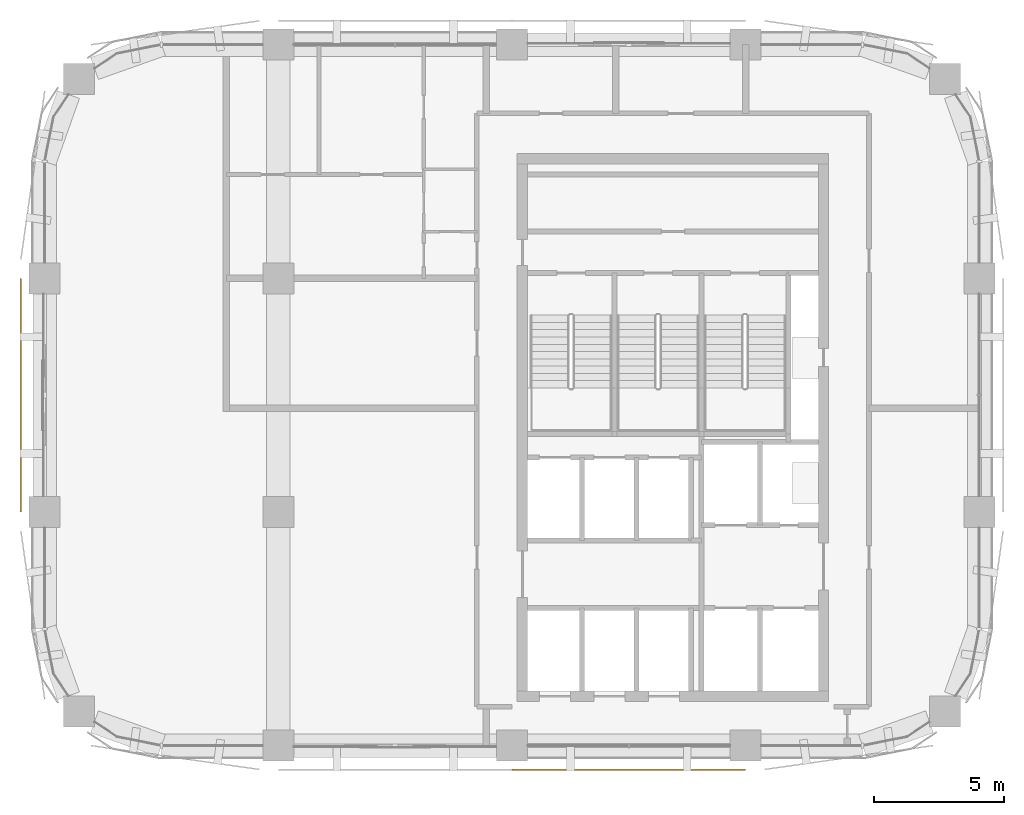
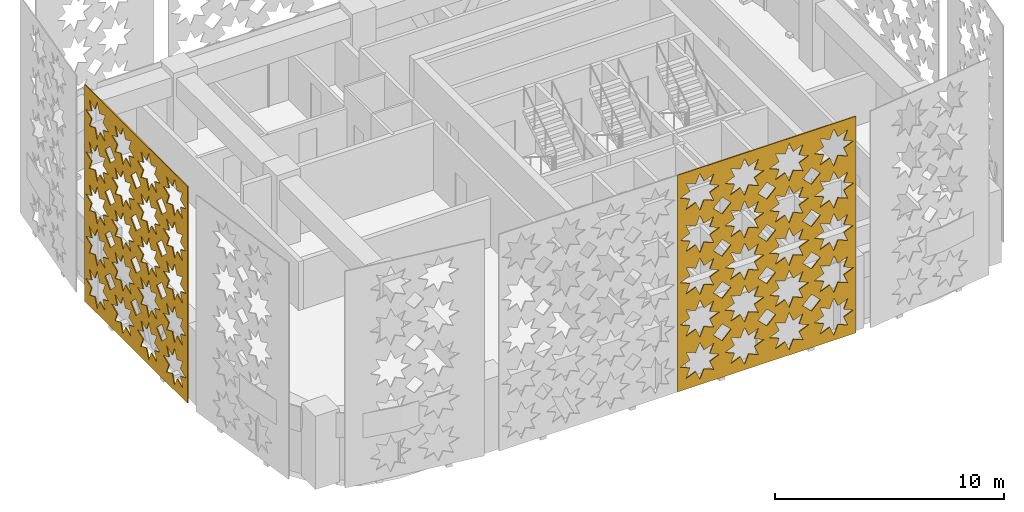
# One storey, part 11 of 15: 2 coverings.
"""IFC4 building model written with IfcOpenShell, lengths in metres."""

from ifc_helpers import new_model, si_unit, direction, frame, origin, place, context, subcontext, project, spatial, polyline, outline, extrude, material, layer, layer_set, type_object, element, save


model = new_model("IFC4")

# Units and contexts
model_context = context("Model", 3, precision=1e-05, world=origin(), true_north=direction((0.0, 1.0)))
body_context = subcontext(model_context, "Body", "Model", "MODEL_VIEW")
ifc_project = project(units=[si_unit("LENGTHUNIT", "METRE"), si_unit("AREAUNIT", "SQUARE_METRE"), si_unit("VOLUMEUNIT", "CUBIC_METRE"), si_unit("PLANEANGLEUNIT", "RADIAN"), si_unit("MASSUNIT", "GRAM", prefix="KILO")], contexts=[model_context])

# Site, building, storey
site_placement = place(None, origin())
site = spatial("IfcSite", under=ifc_project, at=site_placement, CompositionType="ELEMENT")
building_placement = place(site_placement, origin())
building = spatial("IfcBuilding", under=site, at=building_placement, Name="Tessera Arch", CompositionType="ELEMENT")
storey_placement = place(building_placement, frame((0.0, 0.0, 257.89990234375)))
storey = spatial("IfcBuildingStorey", under=building, at=storey_placement, Name="L62", CompositionType="ELEMENT", Elevation=257.89990234375)

# Coverings
ifc_material = material(Name="Anodised aluminium pale metal", Category="aluminium")
ifc_layer = layer(ifc_material, 0.050048828125)
ifc_layer_set = layer_set([ifc_layer], Name="Pierced screen panel straight bay")
covering_type = type_object("IfcCoveringType", Name="Pierced screen panel straight bay", PredefinedType="CLADDING", material=ifc_layer_set)
covering_1_placement = place(storey_placement, frame((17.10009765625, 45.0, 11.7001953125), z_axis=(1.0, 0.0, 0.0), x_axis=(0.0, -1.0, 0.0)))
element("IfcCovering", 1, at=covering_1_placement, inside=storey, type_object=covering_type, Name="SCREEN pierced panel W18.27/1 L62-L64", PredefinedType="CLADDING", context=body_context, shape_type="SweptSolid", body=[
    extrude(outline(polyline([(0.0, 0.0), (9.0, 0.0), (9.0, 11.5400390625), (0.0, 11.5400390625), (0.0, 0.0)]), holes=[polyline([(2.114990234375, 10.27001953125), (1.6240234375, 10.06298828125), (1.824951171875, 9.570068359375), (1.33203125, 9.77099609375), (1.125, 9.280029296875), (0.91796875, 9.77099609375), (0.425048828125, 9.570068359375), (0.6259765625, 10.06298828125), (0.135009765625, 10.27001953125), (0.6259765625, 10.47705078125), (0.425048828125, 10.97021484375), (0.91796875, 10.76904296875), (1.125, 11.260009765625), (1.33203125, 10.76904296875), (1.824951171875, 10.97021484375), (1.6240234375, 10.47705078125), (2.114990234375, 10.27001953125)]), polyline([(2.114990234375, 8.02001953125), (1.6240234375, 7.81298828125), (1.824951171875, 7.320068359375), (1.33203125, 7.52099609375), (1.125, 7.030029296875), (0.91796875, 7.52099609375), (0.425048828125, 7.320068359375), (0.6259765625, 7.81298828125), (0.135009765625, 8.02001953125), (0.6259765625, 8.22705078125), (0.425048828125, 8.72021484375), (0.91796875, 8.51904296875), (1.125, 9.010009765625), (1.33203125, 8.51904296875), (1.824951171875, 8.72021484375), (1.6240234375, 8.22705078125), (2.114990234375, 8.02001953125)]), polyline([(2.114990234375, 5.77001953125), (1.6240234375, 5.56298828125), (1.824951171875, 5.070068359375), (1.33203125, 5.27099609375), (1.125, 4.780029296875), (0.91796875, 5.27099609375), (0.425048828125, 5.070068359375), (0.6259765625, 5.56298828125), (0.135009765625, 5.77001953125), (0.6259765625, 5.97705078125), (0.425048828125, 6.47021484375), (0.91796875, 6.26904296875), (1.125, 6.760009765625), (1.33203125, 6.26904296875), (1.824951171875, 6.47021484375), (1.6240234375, 5.97705078125), (2.114990234375, 5.77001953125)]), polyline([(2.114990234375, 3.52001953125), (1.6240234375, 3.31298828125), (1.824951171875, 2.820068359375), (1.33203125, 3.02099609375), (1.125, 2.530029296875), (0.91796875, 3.02099609375), (0.425048828125, 2.820068359375), (0.6259765625, 3.31298828125), (0.135009765625, 3.52001953125), (0.6259765625, 3.72705078125), (0.425048828125, 4.22021484375), (0.91796875, 4.01904296875), (1.125, 4.510009765625), (1.33203125, 4.01904296875), (1.824951171875, 4.22021484375), (1.6240234375, 3.72705078125), (2.114990234375, 3.52001953125)]), polyline([(2.114990234375, 1.27001953125), (1.6240234375, 1.06298828125), (1.824951171875, 0.570068359375), (1.33203125, 0.77099609375), (1.125, 0.280029296875), (0.91796875, 0.77099609375), (0.425048828125, 0.570068359375), (0.6259765625, 1.06298828125), (0.135009765625, 1.27001953125), (0.6259765625, 1.47705078125), (0.425048828125, 1.97021484375), (0.91796875, 1.76904296875), (1.125, 2.260009765625), (1.33203125, 1.76904296875), (1.824951171875, 1.97021484375), (1.6240234375, 1.47705078125), (2.114990234375, 1.27001953125)]), polyline([(4.364990234375, 10.27001953125), (3.8740234375, 10.06298828125), (4.074951171875, 9.570068359375), (3.58203125, 9.77099609375), (3.375, 9.280029296875), (3.16796875, 9.77099609375), (2.675048828125, 9.570068359375), (2.8759765625, 10.06298828125), (2.385009765625, 10.27001953125), (2.8759765625, 10.47705078125), (2.675048828125, 10.97021484375), (3.16796875, 10.76904296875), (3.375, 11.260009765625), (3.58203125, 10.76904296875), (4.074951171875, 10.97021484375), (3.8740234375, 10.47705078125), (4.364990234375, 10.27001953125)]), polyline([(4.364990234375, 8.02001953125), (3.8740234375, 7.81298828125), (4.074951171875, 7.320068359375), (3.58203125, 7.52099609375), (3.375, 7.030029296875), (3.16796875, 7.52099609375), (2.675048828125, 7.320068359375), (2.8759765625, 7.81298828125), (2.385009765625, 8.02001953125), (2.8759765625, 8.22705078125), (2.675048828125, 8.72021484375), (3.16796875, 8.51904296875), (3.375, 9.010009765625), (3.58203125, 8.51904296875), (4.074951171875, 8.72021484375), (3.8740234375, 8.22705078125), (4.364990234375, 8.02001953125)]), polyline([(4.364990234375, 5.77001953125), (3.8740234375, 5.56298828125), (4.074951171875, 5.070068359375), (3.58203125, 5.27099609375), (3.375, 4.780029296875), (3.16796875, 5.27099609375), (2.675048828125, 5.070068359375), (2.8759765625, 5.56298828125), (2.385009765625, 5.77001953125), (2.8759765625, 5.97705078125), (2.675048828125, 6.47021484375), (3.16796875, 6.26904296875), (3.375, 6.760009765625), (3.58203125, 6.26904296875), (4.074951171875, 6.47021484375), (3.8740234375, 5.97705078125), (4.364990234375, 5.77001953125)]), polyline([(4.364990234375, 3.52001953125), (3.8740234375, 3.31298828125), (4.074951171875, 2.820068359375), (3.58203125, 3.02099609375), (3.375, 2.530029296875), (3.16796875, 3.02099609375), (2.675048828125, 2.820068359375), (2.8759765625, 3.31298828125), (2.385009765625, 3.52001953125), (2.8759765625, 3.72705078125), (2.675048828125, 4.22021484375), (3.16796875, 4.01904296875), (3.375, 4.510009765625), (3.58203125, 4.01904296875), (4.074951171875, 4.22021484375), (3.8740234375, 3.72705078125), (4.364990234375, 3.52001953125)]), polyline([(4.364990234375, 1.27001953125), (3.8740234375, 1.06298828125), (4.074951171875, 0.570068359375), (3.58203125, 0.77099609375), (3.375, 0.280029296875), (3.16796875, 0.77099609375), (2.675048828125, 0.570068359375), (2.8759765625, 1.06298828125), (2.385009765625, 1.27001953125), (2.8759765625, 1.47705078125), (2.675048828125, 1.97021484375), (3.16796875, 1.76904296875), (3.375, 2.260009765625), (3.58203125, 1.76904296875), (4.074951171875, 1.97021484375), (3.8740234375, 1.47705078125), (4.364990234375, 1.27001953125)]), polyline([(6.614990234375, 10.27001953125), (6.1240234375, 10.06298828125), (6.324951171875, 9.570068359375), (5.83203125, 9.77099609375), (5.625, 9.280029296875), (5.41796875, 9.77099609375), (4.925048828125, 9.570068359375), (5.1259765625, 10.06298828125), (4.635009765625, 10.27001953125), (5.1259765625, 10.47705078125), (4.925048828125, 10.97021484375), (5.41796875, 10.76904296875), (5.625, 11.260009765625), (5.83203125, 10.76904296875), (6.324951171875, 10.97021484375), (6.1240234375, 10.47705078125), (6.614990234375, 10.27001953125)]), polyline([(6.614990234375, 8.02001953125), (6.1240234375, 7.81298828125), (6.324951171875, 7.320068359375), (5.83203125, 7.52099609375), (5.625, 7.030029296875), (5.41796875, 7.52099609375), (4.925048828125, 7.320068359375), (5.1259765625, 7.81298828125), (4.635009765625, 8.02001953125), (5.1259765625, 8.22705078125), (4.925048828125, 8.72021484375), (5.41796875, 8.51904296875), (5.625, 9.010009765625), (5.83203125, 8.51904296875), (6.324951171875, 8.72021484375), (6.1240234375, 8.22705078125), (6.614990234375, 8.02001953125)]), polyline([(6.614990234375, 5.77001953125), (6.1240234375, 5.56298828125), (6.324951171875, 5.070068359375), (5.83203125, 5.27099609375), (5.625, 4.780029296875), (5.41796875, 5.27099609375), (4.925048828125, 5.070068359375), (5.1259765625, 5.56298828125), (4.635009765625, 5.77001953125), (5.1259765625, 5.97705078125), (4.925048828125, 6.47021484375), (5.41796875, 6.26904296875), (5.625, 6.760009765625), (5.83203125, 6.26904296875), (6.324951171875, 6.47021484375), (6.1240234375, 5.97705078125), (6.614990234375, 5.77001953125)]), polyline([(6.614990234375, 3.52001953125), (6.1240234375, 3.31298828125), (6.324951171875, 2.820068359375), (5.83203125, 3.02099609375), (5.625, 2.530029296875), (5.41796875, 3.02099609375), (4.925048828125, 2.820068359375), (5.1259765625, 3.31298828125), (4.635009765625, 3.52001953125), (5.1259765625, 3.72705078125), (4.925048828125, 4.22021484375), (5.41796875, 4.01904296875), (5.625, 4.510009765625), (5.83203125, 4.01904296875), (6.324951171875, 4.22021484375), (6.1240234375, 3.72705078125), (6.614990234375, 3.52001953125)]), polyline([(6.614990234375, 1.27001953125), (6.1240234375, 1.06298828125), (6.324951171875, 0.570068359375), (5.83203125, 0.77099609375), (5.625, 0.280029296875), (5.41796875, 0.77099609375), (4.925048828125, 0.570068359375), (5.1259765625, 1.06298828125), (4.635009765625, 1.27001953125), (5.1259765625, 1.47705078125), (4.925048828125, 1.97021484375), (5.41796875, 1.76904296875), (5.625, 2.260009765625), (5.83203125, 1.76904296875), (6.324951171875, 1.97021484375), (6.1240234375, 1.47705078125), (6.614990234375, 1.27001953125)]), polyline([(8.864990234375, 10.27001953125), (8.3740234375, 10.06298828125), (8.574951171875, 9.570068359375), (8.08203125, 9.77099609375), (7.875, 9.280029296875), (7.66796875, 9.77099609375), (7.175048828125, 9.570068359375), (7.3759765625, 10.06298828125), (6.885009765625, 10.27001953125), (7.3759765625, 10.47705078125), (7.175048828125, 10.97021484375), (7.66796875, 10.76904296875), (7.875, 11.260009765625), (8.08203125, 10.76904296875), (8.574951171875, 10.97021484375), (8.3740234375, 10.47705078125), (8.864990234375, 10.27001953125)]), polyline([(8.864990234375, 8.02001953125), (8.3740234375, 7.81298828125), (8.574951171875, 7.320068359375), (8.08203125, 7.52099609375), (7.875, 7.030029296875), (7.66796875, 7.52099609375), (7.175048828125, 7.320068359375), (7.3759765625, 7.81298828125), (6.885009765625, 8.02001953125), (7.3759765625, 8.22705078125), (7.175048828125, 8.72021484375), (7.66796875, 8.51904296875), (7.875, 9.010009765625), (8.08203125, 8.51904296875), (8.574951171875, 8.72021484375), (8.3740234375, 8.22705078125), (8.864990234375, 8.02001953125)]), polyline([(8.864990234375, 5.77001953125), (8.3740234375, 5.56298828125), (8.574951171875, 5.070068359375), (8.08203125, 5.27099609375), (7.875, 4.780029296875), (7.66796875, 5.27099609375), (7.175048828125, 5.070068359375), (7.3759765625, 5.56298828125), (6.885009765625, 5.77001953125), (7.3759765625, 5.97705078125), (7.175048828125, 6.47021484375), (7.66796875, 6.26904296875), (7.875, 6.760009765625), (8.08203125, 6.26904296875), (8.574951171875, 6.47021484375), (8.3740234375, 5.97705078125), (8.864990234375, 5.77001953125)]), polyline([(8.864990234375, 3.52001953125), (8.3740234375, 3.31298828125), (8.574951171875, 2.820068359375), (8.08203125, 3.02099609375), (7.875, 2.530029296875), (7.66796875, 3.02099609375), (7.175048828125, 2.820068359375), (7.3759765625, 3.31298828125), (6.885009765625, 3.52001953125), (7.3759765625, 3.72705078125), (7.175048828125, 4.22021484375), (7.66796875, 4.01904296875), (7.875, 4.510009765625), (8.08203125, 4.01904296875), (8.574951171875, 4.22021484375), (8.3740234375, 3.72705078125), (8.864990234375, 3.52001953125)]), polyline([(8.864990234375, 1.27001953125), (8.3740234375, 1.06298828125), (8.574951171875, 0.570068359375), (8.08203125, 0.77099609375), (7.875, 0.280029296875), (7.66796875, 0.77099609375), (7.175048828125, 0.570068359375), (7.3759765625, 1.06298828125), (6.885009765625, 1.27001953125), (7.3759765625, 1.47705078125), (7.175048828125, 1.97021484375), (7.66796875, 1.76904296875), (7.875, 2.260009765625), (8.08203125, 1.76904296875), (8.574951171875, 1.97021484375), (8.3740234375, 1.47705078125), (8.864990234375, 1.27001953125)]), polyline([(2.699951171875, 9.14501953125), (2.25, 8.695068359375), (1.800048828125, 9.14501953125), (2.25, 9.59521484375), (2.699951171875, 9.14501953125)]), polyline([(2.699951171875, 6.89501953125), (2.25, 6.445068359375), (1.800048828125, 6.89501953125), (2.25, 7.34521484375), (2.699951171875, 6.89501953125)]), polyline([(2.699951171875, 4.64501953125), (2.25, 4.195068359375), (1.800048828125, 4.64501953125), (2.25, 5.09521484375), (2.699951171875, 4.64501953125)]), polyline([(2.699951171875, 2.39501953125), (2.25, 1.945068359375), (1.800048828125, 2.39501953125), (2.25, 2.84521484375), (2.699951171875, 2.39501953125)]), polyline([(4.949951171875, 9.14501953125), (4.5, 8.695068359375), (4.050048828125, 9.14501953125), (4.5, 9.59521484375), (4.949951171875, 9.14501953125)]), polyline([(4.949951171875, 6.89501953125), (4.5, 6.445068359375), (4.050048828125, 6.89501953125), (4.5, 7.34521484375), (4.949951171875, 6.89501953125)]), polyline([(4.949951171875, 4.64501953125), (4.5, 4.195068359375), (4.050048828125, 4.64501953125), (4.5, 5.09521484375), (4.949951171875, 4.64501953125)]), polyline([(4.949951171875, 2.39501953125), (4.5, 1.945068359375), (4.050048828125, 2.39501953125), (4.5, 2.84521484375), (4.949951171875, 2.39501953125)]), polyline([(7.199951171875, 9.14501953125), (6.75, 8.695068359375), (6.300048828125, 9.14501953125), (6.75, 9.59521484375), (7.199951171875, 9.14501953125)]), polyline([(7.199951171875, 6.89501953125), (6.75, 6.445068359375), (6.300048828125, 6.89501953125), (6.75, 7.34521484375), (7.199951171875, 6.89501953125)]), polyline([(7.199951171875, 4.64501953125), (6.75, 4.195068359375), (6.300048828125, 4.64501953125), (6.75, 5.09521484375), (7.199951171875, 4.64501953125)]), polyline([(7.199951171875, 2.39501953125), (6.75, 1.945068359375), (6.300048828125, 2.39501953125), (6.75, 2.84521484375), (7.199951171875, 2.39501953125)])]), origin(), (0.0, 0.0, -1.0), 0.050048828125),
])
covering_2_placement = place(storey_placement, frame((36.0, 26.10009765625, 11.7001953125), z_axis=(0.0, 1.0, 0.0), x_axis=(1.0, 0.0, 0.0)))
element("IfcCovering", 2, at=covering_2_placement, inside=storey, type_object=covering_type, Name="SCREEN pierced panel S27.18/2 L62-L64", PredefinedType="CLADDING", context=body_context, shape_type="SweptSolid", body=[
    extrude(outline(polyline([(0.0, 0.0), (9.0, 0.0), (9.0, 11.5400390625), (0.0, 11.5400390625), (0.0, 0.0)]), holes=[polyline([(2.114990234375, 10.27001953125), (1.6240234375, 10.06298828125), (1.824951171875, 9.570068359375), (1.33203125, 9.77099609375), (1.125, 9.280029296875), (0.91796875, 9.77099609375), (0.425048828125, 9.570068359375), (0.6259765625, 10.06298828125), (0.135009765625, 10.27001953125), (0.6259765625, 10.47705078125), (0.425048828125, 10.97021484375), (0.91796875, 10.76904296875), (1.125, 11.260009765625), (1.33203125, 10.76904296875), (1.824951171875, 10.97021484375), (1.6240234375, 10.47705078125), (2.114990234375, 10.27001953125)]), polyline([(2.114990234375, 8.02001953125), (1.6240234375, 7.81298828125), (1.824951171875, 7.320068359375), (1.33203125, 7.52099609375), (1.125, 7.030029296875), (0.91796875, 7.52099609375), (0.425048828125, 7.320068359375), (0.6259765625, 7.81298828125), (0.135009765625, 8.02001953125), (0.6259765625, 8.22705078125), (0.425048828125, 8.72021484375), (0.91796875, 8.51904296875), (1.125, 9.010009765625), (1.33203125, 8.51904296875), (1.824951171875, 8.72021484375), (1.6240234375, 8.22705078125), (2.114990234375, 8.02001953125)]), polyline([(2.114990234375, 5.77001953125), (1.6240234375, 5.56298828125), (1.824951171875, 5.070068359375), (1.33203125, 5.27099609375), (1.125, 4.780029296875), (0.91796875, 5.27099609375), (0.425048828125, 5.070068359375), (0.6259765625, 5.56298828125), (0.135009765625, 5.77001953125), (0.6259765625, 5.97705078125), (0.425048828125, 6.47021484375), (0.91796875, 6.26904296875), (1.125, 6.760009765625), (1.33203125, 6.26904296875), (1.824951171875, 6.47021484375), (1.6240234375, 5.97705078125), (2.114990234375, 5.77001953125)]), polyline([(2.114990234375, 3.52001953125), (1.6240234375, 3.31298828125), (1.824951171875, 2.820068359375), (1.33203125, 3.02099609375), (1.125, 2.530029296875), (0.91796875, 3.02099609375), (0.425048828125, 2.820068359375), (0.6259765625, 3.31298828125), (0.135009765625, 3.52001953125), (0.6259765625, 3.72705078125), (0.425048828125, 4.22021484375), (0.91796875, 4.01904296875), (1.125, 4.510009765625), (1.33203125, 4.01904296875), (1.824951171875, 4.22021484375), (1.6240234375, 3.72705078125), (2.114990234375, 3.52001953125)]), polyline([(2.114990234375, 1.27001953125), (1.6240234375, 1.06298828125), (1.824951171875, 0.570068359375), (1.33203125, 0.77099609375), (1.125, 0.280029296875), (0.91796875, 0.77099609375), (0.425048828125, 0.570068359375), (0.6259765625, 1.06298828125), (0.135009765625, 1.27001953125), (0.6259765625, 1.47705078125), (0.425048828125, 1.97021484375), (0.91796875, 1.76904296875), (1.125, 2.260009765625), (1.33203125, 1.76904296875), (1.824951171875, 1.97021484375), (1.6240234375, 1.47705078125), (2.114990234375, 1.27001953125)]), polyline([(4.364990234375, 10.27001953125), (3.8740234375, 10.06298828125), (4.074951171875, 9.570068359375), (3.58203125, 9.77099609375), (3.375, 9.280029296875), (3.16796875, 9.77099609375), (2.675048828125, 9.570068359375), (2.8759765625, 10.06298828125), (2.385009765625, 10.27001953125), (2.8759765625, 10.47705078125), (2.675048828125, 10.97021484375), (3.16796875, 10.76904296875), (3.375, 11.260009765625), (3.58203125, 10.76904296875), (4.074951171875, 10.97021484375), (3.8740234375, 10.47705078125), (4.364990234375, 10.27001953125)]), polyline([(4.364990234375, 8.02001953125), (3.8740234375, 7.81298828125), (4.074951171875, 7.320068359375), (3.58203125, 7.52099609375), (3.375, 7.030029296875), (3.16796875, 7.52099609375), (2.675048828125, 7.320068359375), (2.8759765625, 7.81298828125), (2.385009765625, 8.02001953125), (2.8759765625, 8.22705078125), (2.675048828125, 8.72021484375), (3.16796875, 8.51904296875), (3.375, 9.010009765625), (3.58203125, 8.51904296875), (4.074951171875, 8.72021484375), (3.8740234375, 8.22705078125), (4.364990234375, 8.02001953125)]), polyline([(4.364990234375, 5.77001953125), (3.8740234375, 5.56298828125), (4.074951171875, 5.070068359375), (3.58203125, 5.27099609375), (3.375, 4.780029296875), (3.16796875, 5.27099609375), (2.675048828125, 5.070068359375), (2.8759765625, 5.56298828125), (2.385009765625, 5.77001953125), (2.8759765625, 5.97705078125), (2.675048828125, 6.47021484375), (3.16796875, 6.26904296875), (3.375, 6.760009765625), (3.58203125, 6.26904296875), (4.074951171875, 6.47021484375), (3.8740234375, 5.97705078125), (4.364990234375, 5.77001953125)]), polyline([(4.364990234375, 3.52001953125), (3.8740234375, 3.31298828125), (4.074951171875, 2.820068359375), (3.58203125, 3.02099609375), (3.375, 2.530029296875), (3.16796875, 3.02099609375), (2.675048828125, 2.820068359375), (2.8759765625, 3.31298828125), (2.385009765625, 3.52001953125), (2.8759765625, 3.72705078125), (2.675048828125, 4.22021484375), (3.16796875, 4.01904296875), (3.375, 4.510009765625), (3.58203125, 4.01904296875), (4.074951171875, 4.22021484375), (3.8740234375, 3.72705078125), (4.364990234375, 3.52001953125)]), polyline([(4.364990234375, 1.27001953125), (3.8740234375, 1.06298828125), (4.074951171875, 0.570068359375), (3.58203125, 0.77099609375), (3.375, 0.280029296875), (3.16796875, 0.77099609375), (2.675048828125, 0.570068359375), (2.8759765625, 1.06298828125), (2.385009765625, 1.27001953125), (2.8759765625, 1.47705078125), (2.675048828125, 1.97021484375), (3.16796875, 1.76904296875), (3.375, 2.260009765625), (3.58203125, 1.76904296875), (4.074951171875, 1.97021484375), (3.8740234375, 1.47705078125), (4.364990234375, 1.27001953125)]), polyline([(6.614990234375, 10.27001953125), (6.1240234375, 10.06298828125), (6.324951171875, 9.570068359375), (5.83203125, 9.77099609375), (5.625, 9.280029296875), (5.41796875, 9.77099609375), (4.925048828125, 9.570068359375), (5.1259765625, 10.06298828125), (4.635009765625, 10.27001953125), (5.1259765625, 10.47705078125), (4.925048828125, 10.97021484375), (5.41796875, 10.76904296875), (5.625, 11.260009765625), (5.83203125, 10.76904296875), (6.324951171875, 10.97021484375), (6.1240234375, 10.47705078125), (6.614990234375, 10.27001953125)]), polyline([(6.614990234375, 8.02001953125), (6.1240234375, 7.81298828125), (6.324951171875, 7.320068359375), (5.83203125, 7.52099609375), (5.625, 7.030029296875), (5.41796875, 7.52099609375), (4.925048828125, 7.320068359375), (5.1259765625, 7.81298828125), (4.635009765625, 8.02001953125), (5.1259765625, 8.22705078125), (4.925048828125, 8.72021484375), (5.41796875, 8.51904296875), (5.625, 9.010009765625), (5.83203125, 8.51904296875), (6.324951171875, 8.72021484375), (6.1240234375, 8.22705078125), (6.614990234375, 8.02001953125)]), polyline([(6.614990234375, 5.77001953125), (6.1240234375, 5.56298828125), (6.324951171875, 5.070068359375), (5.83203125, 5.27099609375), (5.625, 4.780029296875), (5.41796875, 5.27099609375), (4.925048828125, 5.070068359375), (5.1259765625, 5.56298828125), (4.635009765625, 5.77001953125), (5.1259765625, 5.97705078125), (4.925048828125, 6.47021484375), (5.41796875, 6.26904296875), (5.625, 6.760009765625), (5.83203125, 6.26904296875), (6.324951171875, 6.47021484375), (6.1240234375, 5.97705078125), (6.614990234375, 5.77001953125)]), polyline([(6.614990234375, 3.52001953125), (6.1240234375, 3.31298828125), (6.324951171875, 2.820068359375), (5.83203125, 3.02099609375), (5.625, 2.530029296875), (5.41796875, 3.02099609375), (4.925048828125, 2.820068359375), (5.1259765625, 3.31298828125), (4.635009765625, 3.52001953125), (5.1259765625, 3.72705078125), (4.925048828125, 4.22021484375), (5.41796875, 4.01904296875), (5.625, 4.510009765625), (5.83203125, 4.01904296875), (6.324951171875, 4.22021484375), (6.1240234375, 3.72705078125), (6.614990234375, 3.52001953125)]), polyline([(6.614990234375, 1.27001953125), (6.1240234375, 1.06298828125), (6.324951171875, 0.570068359375), (5.83203125, 0.77099609375), (5.625, 0.280029296875), (5.41796875, 0.77099609375), (4.925048828125, 0.570068359375), (5.1259765625, 1.06298828125), (4.635009765625, 1.27001953125), (5.1259765625, 1.47705078125), (4.925048828125, 1.97021484375), (5.41796875, 1.76904296875), (5.625, 2.260009765625), (5.83203125, 1.76904296875), (6.324951171875, 1.97021484375), (6.1240234375, 1.47705078125), (6.614990234375, 1.27001953125)]), polyline([(8.864990234375, 10.27001953125), (8.3740234375, 10.06298828125), (8.574951171875, 9.570068359375), (8.08203125, 9.77099609375), (7.875, 9.280029296875), (7.66796875, 9.77099609375), (7.175048828125, 9.570068359375), (7.3759765625, 10.06298828125), (6.885009765625, 10.27001953125), (7.3759765625, 10.47705078125), (7.175048828125, 10.97021484375), (7.66796875, 10.76904296875), (7.875, 11.260009765625), (8.08203125, 10.76904296875), (8.574951171875, 10.97021484375), (8.3740234375, 10.47705078125), (8.864990234375, 10.27001953125)]), polyline([(8.864990234375, 8.02001953125), (8.3740234375, 7.81298828125), (8.574951171875, 7.320068359375), (8.08203125, 7.52099609375), (7.875, 7.030029296875), (7.66796875, 7.52099609375), (7.175048828125, 7.320068359375), (7.3759765625, 7.81298828125), (6.885009765625, 8.02001953125), (7.3759765625, 8.22705078125), (7.175048828125, 8.72021484375), (7.66796875, 8.51904296875), (7.875, 9.010009765625), (8.08203125, 8.51904296875), (8.574951171875, 8.72021484375), (8.3740234375, 8.22705078125), (8.864990234375, 8.02001953125)]), polyline([(8.864990234375, 5.77001953125), (8.3740234375, 5.56298828125), (8.574951171875, 5.070068359375), (8.08203125, 5.27099609375), (7.875, 4.780029296875), (7.66796875, 5.27099609375), (7.175048828125, 5.070068359375), (7.3759765625, 5.56298828125), (6.885009765625, 5.77001953125), (7.3759765625, 5.97705078125), (7.175048828125, 6.47021484375), (7.66796875, 6.26904296875), (7.875, 6.760009765625), (8.08203125, 6.26904296875), (8.574951171875, 6.47021484375), (8.3740234375, 5.97705078125), (8.864990234375, 5.77001953125)]), polyline([(8.864990234375, 3.52001953125), (8.3740234375, 3.31298828125), (8.574951171875, 2.820068359375), (8.08203125, 3.02099609375), (7.875, 2.530029296875), (7.66796875, 3.02099609375), (7.175048828125, 2.820068359375), (7.3759765625, 3.31298828125), (6.885009765625, 3.52001953125), (7.3759765625, 3.72705078125), (7.175048828125, 4.22021484375), (7.66796875, 4.01904296875), (7.875, 4.510009765625), (8.08203125, 4.01904296875), (8.574951171875, 4.22021484375), (8.3740234375, 3.72705078125), (8.864990234375, 3.52001953125)]), polyline([(8.864990234375, 1.27001953125), (8.3740234375, 1.06298828125), (8.574951171875, 0.570068359375), (8.08203125, 0.77099609375), (7.875, 0.280029296875), (7.66796875, 0.77099609375), (7.175048828125, 0.570068359375), (7.3759765625, 1.06298828125), (6.885009765625, 1.27001953125), (7.3759765625, 1.47705078125), (7.175048828125, 1.97021484375), (7.66796875, 1.76904296875), (7.875, 2.260009765625), (8.08203125, 1.76904296875), (8.574951171875, 1.97021484375), (8.3740234375, 1.47705078125), (8.864990234375, 1.27001953125)]), polyline([(2.699951171875, 9.14501953125), (2.25, 8.695068359375), (1.800048828125, 9.14501953125), (2.25, 9.59521484375), (2.699951171875, 9.14501953125)]), polyline([(2.699951171875, 6.89501953125), (2.25, 6.445068359375), (1.800048828125, 6.89501953125), (2.25, 7.34521484375), (2.699951171875, 6.89501953125)]), polyline([(2.699951171875, 4.64501953125), (2.25, 4.195068359375), (1.800048828125, 4.64501953125), (2.25, 5.09521484375), (2.699951171875, 4.64501953125)]), polyline([(2.699951171875, 2.39501953125), (2.25, 1.945068359375), (1.800048828125, 2.39501953125), (2.25, 2.84521484375), (2.699951171875, 2.39501953125)]), polyline([(4.949951171875, 9.14501953125), (4.5, 8.695068359375), (4.050048828125, 9.14501953125), (4.5, 9.59521484375), (4.949951171875, 9.14501953125)]), polyline([(4.949951171875, 6.89501953125), (4.5, 6.445068359375), (4.050048828125, 6.89501953125), (4.5, 7.34521484375), (4.949951171875, 6.89501953125)]), polyline([(4.949951171875, 4.64501953125), (4.5, 4.195068359375), (4.050048828125, 4.64501953125), (4.5, 5.09521484375), (4.949951171875, 4.64501953125)]), polyline([(4.949951171875, 2.39501953125), (4.5, 1.945068359375), (4.050048828125, 2.39501953125), (4.5, 2.84521484375), (4.949951171875, 2.39501953125)]), polyline([(7.199951171875, 9.14501953125), (6.75, 8.695068359375), (6.300048828125, 9.14501953125), (6.75, 9.59521484375), (7.199951171875, 9.14501953125)]), polyline([(7.199951171875, 6.89501953125), (6.75, 6.445068359375), (6.300048828125, 6.89501953125), (6.75, 7.34521484375), (7.199951171875, 6.89501953125)]), polyline([(7.199951171875, 4.64501953125), (6.75, 4.195068359375), (6.300048828125, 4.64501953125), (6.75, 5.09521484375), (7.199951171875, 4.64501953125)]), polyline([(7.199951171875, 2.39501953125), (6.75, 1.945068359375), (6.300048828125, 2.39501953125), (6.75, 2.84521484375), (7.199951171875, 2.39501953125)])]), origin(), (0.0, 0.0, -1.0), 0.050048828125),
])

save(model, "model.ifc")
